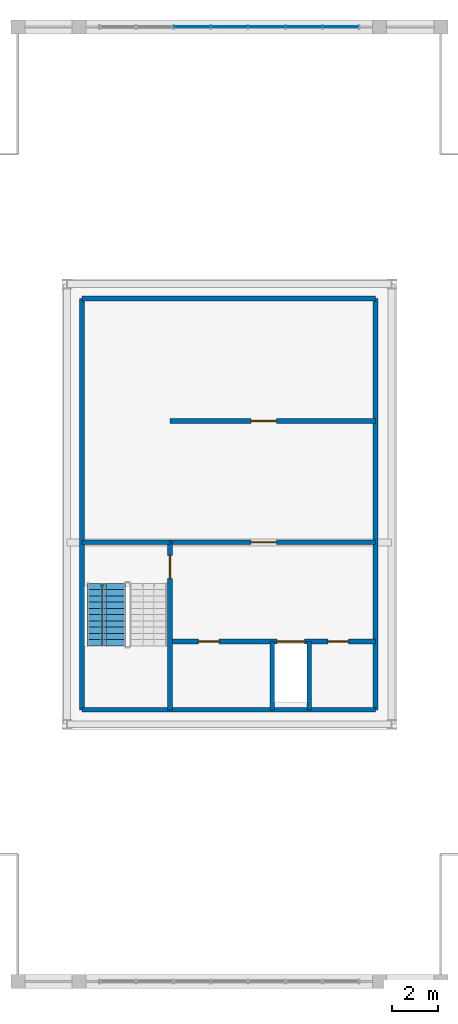
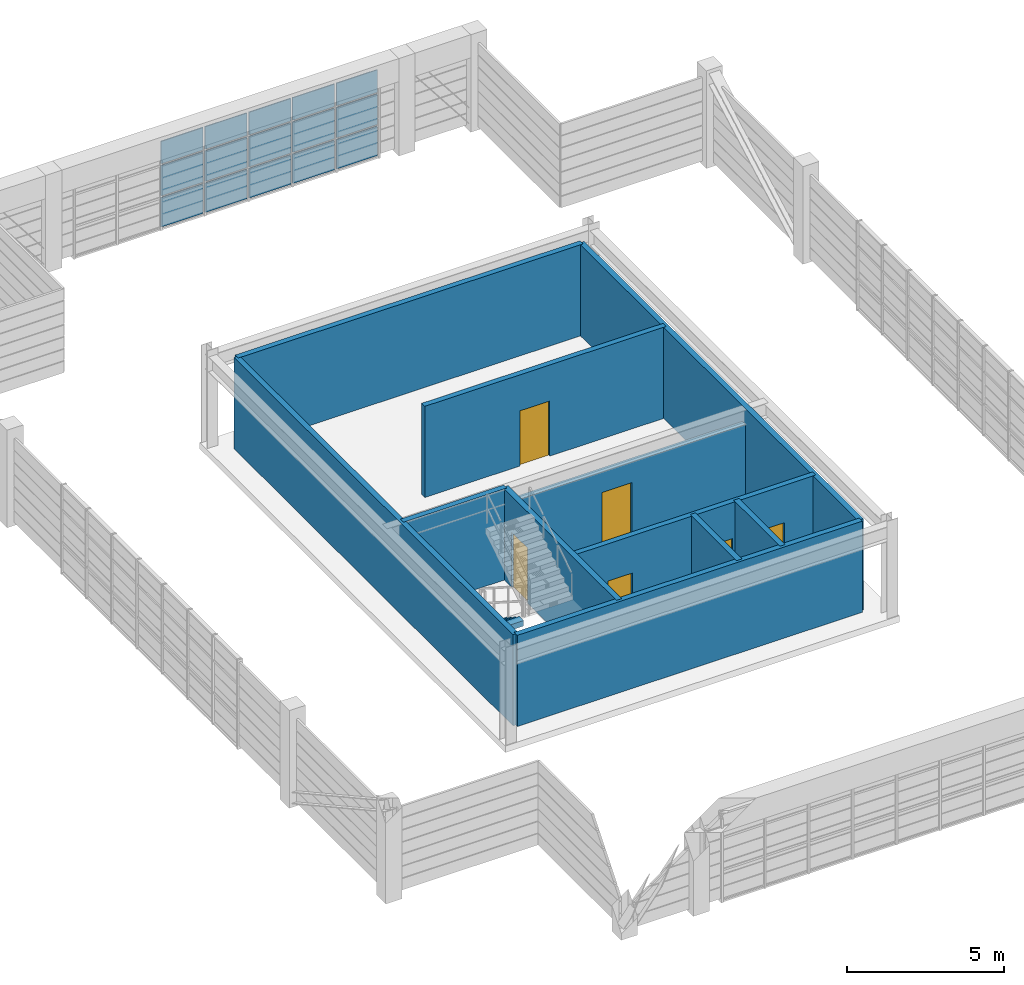
# One storey, part 17 of 21: 15 plates, 11 walls, 6 doors, 1 stair flight, 6 openings, 2 elements without a shape of their own.
"""IFC4 building model written with IfcOpenShell, lengths in metres."""

import ifcopenshell
import ifcopenshell.guid

model = None  # the IFC model being written
_history = None  # IfcOwnerHistory: only IFC2X3 demands one
_inside = {}  # id of a spatial element -> (the spatial element, [elements in it])
_under = {}  # id of a project, library or spatial element -> (it, [spatial elements below it])
_declared = {}  # id of a project -> (the project, [libraries it declares])
_typed = {}  # id of a type object -> (the type object, [elements of that type])
_made_of = {}  # id of a material, layer set ... -> (it, [elements and type objects made of it])


def new_model(schema):
    """Start an empty IFC model of exactly this schema.

    Asked for "IFC4X3", IfcOpenShell would pick the latest addendum, in which some entities
    have other attributes; the version numbers below select the first issue.
    IFC2X3 requires an IfcOwnerHistory on every rooted entity: one is made here for all.
    """
    global model, _history
    if schema == "IFC4X3":
        model = ifcopenshell.file(schema_version=(4, 3, 0, 0))
    else:
        model = ifcopenshell.file(schema=schema)
    _inside.clear()
    _under.clear()
    _declared.clear()
    _typed.clear()
    _made_of.clear()
    _history = None
    if model.schema == "IFC2X3":
        org = make("IfcOrganization", Name="unknown")
        user = make(
            "IfcPersonAndOrganization",
            ThePerson=make("IfcPerson", FamilyName="unknown"),
            TheOrganization=org,
        )
        app = make(
            "IfcApplication",
            ApplicationDeveloper=org,
            Version="unknown",
            ApplicationFullName="unknown",
            ApplicationIdentifier="unknown",
        )
        _history = make(
            "IfcOwnerHistory",
            OwningUser=user,
            OwningApplication=app,
            ChangeAction="ADDED",
            CreationDate=0,
        )
    return model


def make(cls, **values):
    """One entity of the class cls with the attributes given. An attribute that is None is left unset."""
    return model.create_entity(
        cls, **{name: value for name, value in values.items() if value is not None}
    )


def rooted(cls, **values):
    """An entity with a GlobalId (a new one), such as an element, a storey or a relation."""
    return make(cls, GlobalId=ifcopenshell.guid.new(), OwnerHistory=_history, **values)


def si_unit(unit_type, name, prefix=None):
    """IfcSIUnit, for example si_unit("LENGTHUNIT", "METRE", prefix="MILLI")."""
    return make("IfcSIUnit", UnitType=unit_type, Prefix=prefix, Name=name)


def assignment(units):
    """IfcUnitAssignment: the units of a project."""
    return None if units is None else make("IfcUnitAssignment", Units=units)


def point(xyz):
    """IfcCartesianPoint."""
    return None if xyz is None else make("IfcCartesianPoint", Coordinates=xyz)


def direction(xyz):
    """IfcDirection."""
    return None if xyz is None else make("IfcDirection", DirectionRatios=xyz)


def frame(location, z_axis=None, x_axis=None):
    """IfcAxis2Placement3D, a coordinate frame: its origin and axes. An axis left out is left unset."""
    return make(
        "IfcAxis2Placement3D",
        Location=point(location),
        Axis=direction(z_axis),
        RefDirection=direction(x_axis),
    )


def frame_2d(location, x_axis=None):
    """IfcAxis2Placement2D, a coordinate frame in the plane: its origin and x axis."""
    return make(
        "IfcAxis2Placement2D", Location=point(location), RefDirection=direction(x_axis)
    )


def origin():
    """The frame at (0, 0, 0) with its axes left unset."""
    return frame((0.0, 0.0, 0.0))


def origin_2d():
    """The frame at (0, 0) in the plane with its x axis left unset."""
    return frame_2d((0.0, 0.0))


def place(relative_to, where):
    """IfcLocalPlacement: puts the frame where relative to a parent placement (None: the world)."""
    return make(
        "IfcLocalPlacement", PlacementRelTo=relative_to, RelativePlacement=where
    )


def context(
    kind, dimensions, precision=None, world=None, true_north=None, identifier=None
):
    """IfcGeometricRepresentationContext, for example the 3D "Model" context."""
    return make(
        "IfcGeometricRepresentationContext",
        ContextIdentifier=identifier,
        ContextType=kind,
        CoordinateSpaceDimension=dimensions,
        Precision=precision,
        WorldCoordinateSystem=world,
        TrueNorth=true_north,
    )


def subcontext(parent, identifier, kind, view, scale=None):
    """IfcGeometricRepresentationSubContext, for example "Body" below "Model"."""
    return make(
        "IfcGeometricRepresentationSubContext",
        ContextIdentifier=identifier,
        ContextType=kind,
        ParentContext=parent,
        TargetScale=scale,
        TargetView=view,
    )


def project(units=None, contexts=None):
    """IfcProject with its units and contexts."""
    return rooted(
        "IfcProject",
        Name="project",
        RepresentationContexts=contexts,
        UnitsInContext=assignment(units),
    )


def spatial(cls, under=None, at=None, **own):
    """A site, building, storey or space (cls), placed at a placement, below another one or the project."""
    s = rooted(cls, ObjectPlacement=at, **own)
    if under is not None:
        _under.setdefault(under.id(), (under, []))[1].append(s)
    return s


def polyline(points):
    """IfcPolyline through the points."""
    return make("IfcPolyline", Points=[point(p) for p in points])


def profile(cls, at=None, kind="AREA", **sizes):
    """A parametric profile (cls). Its sizes go by their IFC names, for example OverallWidth=200.0."""
    return make(cls, ProfileType=kind, Position=at, **sizes)


def rectangle(**sizes):
    """IfcRectangleProfileDef."""
    return profile("IfcRectangleProfileDef", **sizes)


def outline(outer, holes=None, kind="AREA"):
    """IfcArbitraryClosedProfileDef: a profile drawn as a closed curve; with holes, ...WithVoids."""
    if holes is None:
        return make("IfcArbitraryClosedProfileDef", ProfileType=kind, OuterCurve=outer)
    return make(
        "IfcArbitraryProfileDefWithVoids",
        ProfileType=kind,
        OuterCurve=outer,
        InnerCurves=holes,
    )


def extrude(swept, where, along, depth):
    """IfcExtrudedAreaSolid: the profile swept, set in the frame where, extruded along a direction by depth."""
    return make(
        "IfcExtrudedAreaSolid",
        SweptArea=swept,
        Position=where,
        ExtrudedDirection=direction(along),
        Depth=depth,
    )


def shape(context_of_items, identifier, shape_type, items):
    """IfcShapeRepresentation: the items that make up one representation, for example the "Body"."""
    return make(
        "IfcShapeRepresentation",
        ContextOfItems=context_of_items,
        RepresentationIdentifier=identifier,
        RepresentationType=shape_type,
        Items=items,
    )


def source(mapping_origin, context_of_items, identifier, shape_type, items):
    """IfcRepresentationMap: a shape defined once, which mapped items show again and again."""
    return make(
        "IfcRepresentationMap",
        MappingOrigin=mapping_origin,
        MappedRepresentation=shape(context_of_items, identifier, shape_type, items),
    )


def transform(
    local_origin,
    x_axis=None,
    y_axis=None,
    z_axis=None,
    scale=None,
    scale2=None,
    scale3=None,
    uniform=True,
):
    """IfcCartesianTransformationOperator3D, or its non-uniform kind. x_axis, y_axis, z_axis: its Axis1, 2, 3."""
    if uniform:
        return make(
            "IfcCartesianTransformationOperator3D",
            Axis1=direction(x_axis),
            Axis2=direction(y_axis),
            LocalOrigin=point(local_origin),
            Scale=scale,
            Axis3=direction(z_axis),
        )
    return make(
        "IfcCartesianTransformationOperator3DnonUniform",
        Axis1=direction(x_axis),
        Axis2=direction(y_axis),
        LocalOrigin=point(local_origin),
        Scale=scale,
        Axis3=direction(z_axis),
        Scale2=scale2,
        Scale3=scale3,
    )


def mapped(mapping_source, mapping_target):
    """IfcMappedItem: shows the shape of a source again, moved by a transform."""
    return make(
        "IfcMappedItem", MappingSource=mapping_source, MappingTarget=mapping_target
    )


def material(Name=None, Category=None):
    """IfcMaterial."""
    return make("IfcMaterial", Name=Name, Category=Category)


def layer(
    of_material, thickness, ventilated=None, Name=None, Category=None, Priority=None
):
    """IfcMaterialLayer: one layer of a wall or slab, of a material (None: an air gap)."""
    return make(
        "IfcMaterialLayer",
        Material=of_material,
        LayerThickness=thickness,
        IsVentilated=ventilated,
        Name=Name,
        Category=Category,
        Priority=Priority,
    )


def layer_set(layers, Name=None):
    """IfcMaterialLayerSet."""
    return make("IfcMaterialLayerSet", MaterialLayers=layers, LayerSetName=Name)


def made_of(thing, what):
    """Note that an element or type object is made of a material, layer set ...; save() writes the relation."""
    if what is not None:
        _made_of.setdefault(what.id(), (what, []))[1].append(thing)
    return thing


def type_object(cls, material=None, **own):
    """A type object (cls), such as IfcWallType, which elements share."""
    return made_of(rooted(cls, **own), material)


def element(
    cls,
    number,
    at=None,
    inside=None,
    cuts=None,
    type_object=None,
    material=None,
    context=None,
    identifier="Body",
    shape_type=None,
    held_by="IfcProductDefinitionShape",
    body=None,
    shapes=None,
    **own,
):
    """One element of the class cls, such as IfcWall. Its Tag is "e" and its number.

    at: its placement. inside: the storey or other place that contains it. cuts: it is an
    opening in that element (IfcRelVoidsElement). A single representation is given by context,
    identifier, shape_type and body (its items); several are given by shapes. held_by: the class
    of the entity that holds the representations. save() writes the other relations.
    """
    e = rooted(cls, Tag="e%d" % number, ObjectPlacement=at, **own)
    if body is not None:
        shapes = [shape(context, identifier, shape_type, body)]
    if shapes is not None:
        e.Representation = make(held_by, Representations=shapes)
    if inside is not None:
        _inside.setdefault(inside.id(), (inside, []))[1].append(e)
    if cuts is not None:
        rooted(
            "IfcRelVoidsElement", RelatingBuildingElement=cuts, RelatedOpeningElement=e
        )
    if type_object is not None:
        _typed.setdefault(type_object.id(), (type_object, []))[1].append(e)
    return made_of(e, material)


def fill(opening, filler):
    """IfcRelFillsElement: the door or window that sits in an opening."""
    return rooted(
        "IfcRelFillsElement",
        RelatingOpeningElement=opening,
        RelatedBuildingElement=filler,
    )


def aggregate(whole, parts):
    """IfcRelAggregates: a whole, such as a stair, and the parts it consists of."""
    return rooted("IfcRelAggregates", RelatingObject=whole, RelatedObjects=parts)


def save(model, path):
    """Write the relations noted so far, then the file.

    IfcRelAggregates (storeys below a building ...), IfcRelContainedInSpatialStructure (elements
    in a storey), IfcRelDefinesByType, IfcRelAssociatesMaterial and IfcRelDeclares: one each for
    every whole, place, type object, material and project.
    """
    for whole, parts in _under.values():
        aggregate(whole, parts)
    for where, things in _inside.values():
        rooted(
            "IfcRelContainedInSpatialStructure",
            RelatedElements=things,
            RelatingStructure=where,
        )
    for kind, things in _typed.values():
        rooted("IfcRelDefinesByType", RelatedObjects=things, RelatingType=kind)
    for what, things in _made_of.values():
        rooted("IfcRelAssociatesMaterial", RelatedObjects=things, RelatingMaterial=what)
    for by, libraries in _declared.values():
        rooted("IfcRelDeclares", RelatingContext=by, RelatedDefinitions=libraries)
    model.write(path)


model = new_model("IFC4")

# Units and contexts
model_context = context("Model", 3, precision=1e-05, world=origin(), true_north=direction((0.0, 1.0)))
body_context = subcontext(model_context, "Body", "Model", "MODEL_VIEW")
ifc_project = project(units=[si_unit("LENGTHUNIT", "METRE"), si_unit("AREAUNIT", "SQUARE_METRE"), si_unit("VOLUMEUNIT", "CUBIC_METRE"), si_unit("PLANEANGLEUNIT", "RADIAN"), si_unit("MASSUNIT", "GRAM", prefix="KILO")], contexts=[model_context])

# Site, building, storey
site_placement = place(None, origin())
site = spatial("IfcSite", under=ifc_project, at=site_placement, CompositionType="ELEMENT")
building_placement = place(site_placement, origin())
building = spatial("IfcBuilding", under=site, at=building_placement, Name="Saelheon Loggia Tower", CompositionType="ELEMENT")
storey_placement = place(building_placement, frame((0.0, 0.0, 267.39990234375)))
storey = spatial("IfcBuildingStorey", under=building, at=storey_placement, Name="CR5", CompositionType="ELEMENT", Elevation=267.39990234375)

# Curtain wall, plates
ifc_material_1 = material(Name="Bronze-Anodised Aluminium and Fritted Ceramic Screen", Category="aluminium")
ifc_layer_1 = layer(ifc_material_1, 0.219970703125)
ifc_layer_set_1 = layer_set([ifc_layer_1], Name="Bronze-Anodised Aluminium and Fritted Ceramic Screen")
curtain_wall_type = type_object("IfcCurtainWallType", Name="CW_CrownScreen", PredefinedType="NOTDEFINED", material=ifc_layer_set_1)
curtain_wall_placement = place(storey_placement, origin())
curtain_wall = element("IfcCurtainWall", 1, at=curtain_wall_placement, inside=storey, type_object=curtain_wall_type, Name="CR5 Crown Central Screen Curtain Wall 6", PredefinedType="NOTDEFINED")
ifc_material_2 = material(Name="Bronze Ceramic Fritted Spandrel Panel", Category="aluminium")
ifc_layer_2 = layer(ifc_material_2, 0.0380859375)
ifc_layer_set_2 = layer_set([ifc_layer_2], Name="Bronze Ceramic Fritted Spandrel Panel")
plate_type = type_object("IfcPlateType", Name="CW_CrownScreen_Panel", PredefinedType="CURTAIN_PANEL", material=ifc_layer_set_2)
shared_shape_1 = source(origin(), body_context, "Body", "SweptSolid", [
    extrude(rectangle(XDim=1.50927734375, YDim=0.0380859375, at=origin_2d()), origin(), (0.0, 0.0, 1.0), 1.14501953125),
])
plate_1_placement = place(storey_placement, frame((42.825439453125, 47.64990234375, 0.070068359375), z_axis=(0.0, 0.0, 1.0), x_axis=(1.0, 0.0, 0.0)))
plate_1 = element("IfcPlate", 2, at=plate_1_placement, type_object=plate_type, Name="CW6 panel 7.1", PredefinedType="CURTAIN_PANEL", context=body_context, shape_type="MappedRepresentation", body=[
    mapped(shared_shape_1, transform((0.0, 0.0, 0.0), scale=1.0)),
])
shared_shape_2 = source(origin(), body_context, "Body", "SweptSolid", [
    extrude(rectangle(XDim=1.50927734375, YDim=0.0380859375, at=origin_2d()), origin(), (0.0, 0.0, 1.0), 1.179931640625),
])
plate_2_placement = place(storey_placement, frame((42.825439453125, 47.64990234375, 1.28515625), z_axis=(0.0, 0.0, 1.0), x_axis=(1.0, 0.0, 0.0)))
plate_2 = element("IfcPlate", 3, at=plate_2_placement, type_object=plate_type, Name="CW6 panel 7.2", PredefinedType="CURTAIN_PANEL", context=body_context, shape_type="MappedRepresentation", body=[
    mapped(shared_shape_2, transform((0.0, 0.0, 0.0), scale=1.0)),
])
shared_shape_3 = source(origin(), body_context, "Body", "SweptSolid", [
    extrude(rectangle(XDim=1.50927734375, YDim=0.0380859375, at=origin_2d()), origin(), (0.0, 0.0, 1.0), 0.875),
])
plate_3_placement = place(storey_placement, frame((42.825439453125, 47.64990234375, 2.53515625), z_axis=(0.0, 0.0, 1.0), x_axis=(1.0, 0.0, 0.0)))
plate_3 = element("IfcPlate", 4, at=plate_3_placement, type_object=plate_type, Name="CW6 panel 7.3", PredefinedType="CURTAIN_PANEL", context=body_context, shape_type="MappedRepresentation", body=[
    mapped(shared_shape_3, transform((0.0, 0.0, 0.0), scale=1.0)),
])
shared_shape_4 = source(origin(), body_context, "Body", "SweptSolid", [
    extrude(rectangle(XDim=1.544189453125, YDim=0.0380859375, at=origin_2d()), origin(), (0.0, 0.0, 1.0), 1.14501953125),
])
plate_4_placement = place(storey_placement, frame((36.3857421875, 47.64990234375, 0.070068359375), z_axis=(0.0, 0.0, 1.0), x_axis=(1.0, 0.0, 0.0)))
plate_4 = element("IfcPlate", 5, at=plate_4_placement, type_object=plate_type, Name="CW6 panel 3.1", PredefinedType="CURTAIN_PANEL", context=body_context, shape_type="MappedRepresentation", body=[
    mapped(shared_shape_4, transform((0.0, 0.0, 0.0), scale=1.0)),
])
plate_5_placement = place(storey_placement, frame((38.0, 47.64990234375, 0.070068359375), z_axis=(0.0, 0.0, 1.0), x_axis=(1.0, 0.0, 0.0)))
plate_5 = element("IfcPlate", 6, at=plate_5_placement, type_object=plate_type, Name="CW6 panel 4.1", PredefinedType="CURTAIN_PANEL", context=body_context, shape_type="MappedRepresentation", body=[
    mapped(shared_shape_4, transform((0.0, 0.0, 0.0), scale=1.0)),
])
plate_6_placement = place(storey_placement, frame((39.6142578125, 47.64990234375, 0.070068359375), z_axis=(0.0, 0.0, 1.0), x_axis=(1.0, 0.0, 0.0)))
plate_6 = element("IfcPlate", 7, at=plate_6_placement, type_object=plate_type, Name="CW6 panel 5.1", PredefinedType="CURTAIN_PANEL", context=body_context, shape_type="MappedRepresentation", body=[
    mapped(shared_shape_4, transform((0.0, 0.0, 0.0), scale=1.0)),
])
plate_7_placement = place(storey_placement, frame((41.228515625, 47.64990234375, 0.070068359375), z_axis=(0.0, 0.0, 1.0), x_axis=(1.0, 0.0, 0.0)))
plate_7 = element("IfcPlate", 8, at=plate_7_placement, type_object=plate_type, Name="CW6 panel 6.1", PredefinedType="CURTAIN_PANEL", context=body_context, shape_type="MappedRepresentation", body=[
    mapped(shared_shape_4, transform((0.0, 0.0, 0.0), scale=1.0)),
])
shared_shape_5 = source(origin(), body_context, "Body", "SweptSolid", [
    extrude(rectangle(XDim=1.544189453125, YDim=0.0380859375, at=origin_2d()), origin(), (0.0, 0.0, 1.0), 1.179931640625),
])
plate_8_placement = place(storey_placement, frame((36.3857421875, 47.64990234375, 1.28515625), z_axis=(0.0, 0.0, 1.0), x_axis=(1.0, 0.0, 0.0)))
plate_8 = element("IfcPlate", 9, at=plate_8_placement, type_object=plate_type, Name="CW6 panel 3.2", PredefinedType="CURTAIN_PANEL", context=body_context, shape_type="MappedRepresentation", body=[
    mapped(shared_shape_5, transform((0.0, 0.0, 0.0), scale=1.0)),
])
plate_9_placement = place(storey_placement, frame((38.0, 47.64990234375, 1.28515625), z_axis=(0.0, 0.0, 1.0), x_axis=(1.0, 0.0, 0.0)))
plate_9 = element("IfcPlate", 10, at=plate_9_placement, type_object=plate_type, Name="CW6 panel 4.2", PredefinedType="CURTAIN_PANEL", context=body_context, shape_type="MappedRepresentation", body=[
    mapped(shared_shape_5, transform((0.0, 0.0, 0.0), scale=1.0)),
])
plate_10_placement = place(storey_placement, frame((39.6142578125, 47.64990234375, 1.28515625), z_axis=(0.0, 0.0, 1.0), x_axis=(1.0, 0.0, 0.0)))
plate_10 = element("IfcPlate", 11, at=plate_10_placement, type_object=plate_type, Name="CW6 panel 5.2", PredefinedType="CURTAIN_PANEL", context=body_context, shape_type="MappedRepresentation", body=[
    mapped(shared_shape_5, transform((0.0, 0.0, 0.0), scale=1.0)),
])
plate_11_placement = place(storey_placement, frame((41.228515625, 47.64990234375, 1.28515625), z_axis=(0.0, 0.0, 1.0), x_axis=(1.0, 0.0, 0.0)))
plate_11 = element("IfcPlate", 12, at=plate_11_placement, type_object=plate_type, Name="CW6 panel 6.2", PredefinedType="CURTAIN_PANEL", context=body_context, shape_type="MappedRepresentation", body=[
    mapped(shared_shape_5, transform((0.0, 0.0, 0.0), scale=1.0)),
])
shared_shape_6 = source(origin(), body_context, "Body", "SweptSolid", [
    extrude(rectangle(XDim=1.544189453125, YDim=0.0380859375, at=origin_2d()), origin(), (0.0, 0.0, 1.0), 0.875),
])
plate_12_placement = place(storey_placement, frame((36.3857421875, 47.64990234375, 2.53515625), z_axis=(0.0, 0.0, 1.0), x_axis=(1.0, 0.0, 0.0)))
plate_12 = element("IfcPlate", 13, at=plate_12_placement, type_object=plate_type, Name="CW6 panel 3.3", PredefinedType="CURTAIN_PANEL", context=body_context, shape_type="MappedRepresentation", body=[
    mapped(shared_shape_6, transform((0.0, 0.0, 0.0), scale=1.0)),
])
plate_13_placement = place(storey_placement, frame((38.0, 47.64990234375, 2.53515625), z_axis=(0.0, 0.0, 1.0), x_axis=(1.0, 0.0, 0.0)))
plate_13 = element("IfcPlate", 14, at=plate_13_placement, type_object=plate_type, Name="CW6 panel 4.3", PredefinedType="CURTAIN_PANEL", context=body_context, shape_type="MappedRepresentation", body=[
    mapped(shared_shape_6, transform((0.0, 0.0, 0.0), scale=1.0)),
])
plate_14_placement = place(storey_placement, frame((39.6142578125, 47.64990234375, 2.53515625), z_axis=(0.0, 0.0, 1.0), x_axis=(1.0, 0.0, 0.0)))
plate_14 = element("IfcPlate", 15, at=plate_14_placement, type_object=plate_type, Name="CW6 panel 5.3", PredefinedType="CURTAIN_PANEL", context=body_context, shape_type="MappedRepresentation", body=[
    mapped(shared_shape_6, transform((0.0, 0.0, 0.0), scale=1.0)),
])
plate_15_placement = place(storey_placement, frame((41.228515625, 47.64990234375, 2.53515625), z_axis=(0.0, 0.0, 1.0), x_axis=(1.0, 0.0, 0.0)))
plate_15 = element("IfcPlate", 16, at=plate_15_placement, type_object=plate_type, Name="CW6 panel 6.3", PredefinedType="CURTAIN_PANEL", context=body_context, shape_type="MappedRepresentation", body=[
    mapped(shared_shape_6, transform((0.0, 0.0, 0.0), scale=1.0)),
])
aggregate(curtain_wall, [plate_4, plate_8, plate_12, plate_5, plate_9, plate_13, plate_6, plate_10, plate_14, plate_7, plate_11, plate_15, plate_1, plate_2, plate_3])

# Wall, opening, door
ifc_material_3 = material(Name="Concrete C40/50", Category="concrete")
ifc_layer_3 = layer(ifc_material_3, 0.199951171875)
ifc_layer_set_3 = layer_set([ifc_layer_3], Name="Concrete C40/50")
wall_type_1 = type_object("IfcWallType", Name="Wall_Shaft_200", PredefinedType="PARTITIONING", material=ifc_layer_set_3)
wall_1_placement = place(storey_placement, frame((35.429931640625, 30.60009765625, 0.0), z_axis=(0.0, 0.0, 1.0), x_axis=(1.0, 0.0, 0.0)))
wall_1 = element("IfcWall", 17, at=wall_1_placement, inside=storey, type_object=wall_type_1, Name="CR5 Damper Equipment Room Partition Wall", PredefinedType="PARTITIONING", context=body_context, shape_type="SweptSolid", body=[
    extrude(rectangle(XDim=8.89013671875, YDim=0.199951171875, at=frame_2d((4.445068359375, 0.0))), origin(), (0.0, 0.0, 1.0), 3.550048828125),
])
opening_1_placement = place(wall_1_placement, frame((3.5, 0.0, 0.0)))
opening_1 = element("IfcOpeningElement", 18, at=opening_1_placement, cuts=wall_1, Name="Opening D-FD2", PredefinedType="OPENING", context=body_context, shape_type="SweptSolid", body=[
    extrude(rectangle(XDim=1.10009765625, YDim=2.14990234375, at=frame_2d((0.550048828125, 1.074951171875))), frame((0.0, 0.112060546875, 0.0), z_axis=(0.0, -1.0, 0.0), x_axis=(1.0, 0.0, 0.0)), (0.0, 0.0, 1.0), 0.223876953125),
])
ifc_material_4 = material(Name="Galvanised Steel Fire Door", Category="steel")
door_type_1 = type_object("IfcDoorType", Name="Door_Fire_FD60_1100", OperationType="NOTDEFINED", PredefinedType="DOOR", material=ifc_material_4)
shared_shape_7 = source(origin(), body_context, "Body", "SweptSolid", [
    extrude(rectangle(XDim=1.10009765625, YDim=2.14990234375, at=frame_2d((0.550048828125, 1.074951171875))), frame((0.0, 0.02490234375, 0.0), z_axis=(0.0, -1.0, 0.0), x_axis=(1.0, 0.0, 0.0)), (0.0, 0.0, 1.0), 0.050048828125),
])
door_1_placement = place(opening_1_placement, origin())
door_1 = element("IfcDoor", 19, at=door_1_placement, inside=storey, type_object=door_type_1, Name="CR5 Damper Equipment Room Access Door", OperationType="SINGLE_SWING_RIGHT", OverallHeight=2.14990234375, OverallWidth=1.10009765625, PredefinedType="DOOR", context=body_context, shape_type="MappedRepresentation", body=[
    mapped(shared_shape_7, transform((0.0, 0.0, 0.0), scale=1.0)),
])
fill(opening_1, door_1)

# Walls
for number, where, z_axis, x_axis, name in (
    (20, (39.85009765625, 18.10009765625, 0.0), (0.0, 0.0, 1.0), (0.0, 1.0, 0.0), "CR5 SV1 Shaft West Wall"),
    (21, (41.449951171875, 18.10009765625, 0.0), (0.0, 0.0, 1.0), (0.0, 1.0, 0.0), "CR5 SV1 Shaft East Wall"),
):
    element("IfcWall", number, at=place(storey_placement, frame(where, z_axis=z_axis, x_axis=x_axis)), inside=storey, type_object=wall_type_1, Name=name, PredefinedType="PARTITIONING", context=body_context, shape_type="SweptSolid", body=[
        extrude(rectangle(XDim=2.9599609375, YDim=0.199951171875, at=frame_2d((1.47998046875, 0.0))), origin(), (0.0, 0.0, 1.0), 3.550048828125),
    ])

# Wall, openings, doors
wall_2_placement = place(storey_placement, frame((35.429931640625, 21.06005859375, 0.0), z_axis=(0.0, 0.0, 1.0), x_axis=(1.0, 0.0, 0.0)))
wall_2 = element("IfcWall", 22, at=wall_2_placement, inside=storey, type_object=wall_type_1, Name="CR5 SV1 Shaft Front Wall", PredefinedType="PARTITIONING", context=body_context, shape_type="SweptSolid", body=[
    extrude(rectangle(XDim=8.89013671875, YDim=0.199951171875, at=frame_2d((4.445068359375, 0.0))), origin(), (0.0, 0.0, 1.0), 3.550048828125),
])
opening_2_placement = place(wall_2_placement, frame((1.22998046875, 0.0, 0.0)))
opening_2 = element("IfcOpeningElement", 23, at=opening_2_placement, cuts=wall_2, Name="Opening D-RS1", PredefinedType="OPENING", context=body_context, shape_type="SweptSolid", body=[
    extrude(rectangle(XDim=0.89990234375, YDim=2.10009765625, at=frame_2d((0.449951171875, 1.050048828125))), frame((0.0, 0.112060546875, 0.0), z_axis=(0.0, -1.0, 0.0), x_axis=(1.0, 0.0, 0.0)), (0.0, 0.0, 1.0), 0.223876953125),
])
opening_3_placement = place(wall_2_placement, frame((4.6201171875, 0.0, 0.0)))
opening_3 = element("IfcOpeningElement", 24, at=opening_3_placement, cuts=wall_2, Name="Opening LD3", PredefinedType="OPENING", context=body_context, shape_type="SweptSolid", body=[
    extrude(rectangle(XDim=1.199951171875, YDim=2.14990234375, at=frame_2d((0.60009765625, 1.074951171875))), frame((0.0, 0.112060546875, 0.0), z_axis=(0.0, -1.0, 0.0), x_axis=(1.0, 0.0, 0.0)), (0.0, 0.0, 1.0), 0.223876953125),
])
opening_4_placement = place(wall_2_placement, frame((6.830078125, 0.0, 0.0)))
opening_4 = element("IfcOpeningElement", 25, at=opening_4_placement, cuts=wall_2, Name="Opening D-RS1", PredefinedType="OPENING", context=body_context, shape_type="SweptSolid", body=[
    extrude(rectangle(XDim=0.89990234375, YDim=2.10009765625, at=frame_2d((0.449951171875, 1.050048828125))), frame((0.0, 0.112060546875, 0.0), z_axis=(0.0, -1.0, 0.0), x_axis=(1.0, 0.0, 0.0)), (0.0, 0.0, 1.0), 0.223876953125),
])
ifc_material_5 = material(Name="Galvanised Steel Riser Access Door", Category="steel")
door_type_2 = type_object("IfcDoorType", Name="Door_Riser_FD60", OperationType="NOTDEFINED", PredefinedType="DOOR", material=ifc_material_5)
shared_shape_8 = source(origin(), body_context, "Body", "SweptSolid", [
    extrude(rectangle(XDim=0.89990234375, YDim=2.10009765625, at=frame_2d((0.449951171875, 1.050048828125))), frame((0.0, 0.02490234375, 0.0), z_axis=(0.0, -1.0, 0.0), x_axis=(1.0, 0.0, 0.0)), (0.0, 0.0, 1.0), 0.050048828125),
])
door_2_placement = place(opening_2_placement, origin())
door_2 = element("IfcDoor", 26, at=door_2_placement, inside=storey, type_object=door_type_2, Name="CR5 West Riser Closet Door", OperationType="SINGLE_SWING_RIGHT", OverallHeight=2.10009765625, OverallWidth=0.89990234375, PredefinedType="DOOR", context=body_context, shape_type="MappedRepresentation", body=[
    mapped(shared_shape_8, transform((0.0, 0.0, 0.0), scale=1.0)),
])
fill(opening_2, door_2)
door_3_placement = place(opening_4_placement, origin())
door_3 = element("IfcDoor", 27, at=door_3_placement, inside=storey, type_object=door_type_2, Name="CR5 East Riser Closet Door", OperationType="SINGLE_SWING_LEFT", OverallHeight=2.10009765625, OverallWidth=0.89990234375, PredefinedType="DOOR", context=body_context, shape_type="MappedRepresentation", body=[
    mapped(shared_shape_8, transform((0.0, 0.0, 0.0), scale=1.0)),
])
fill(opening_4, door_3)
ifc_material_6 = material(Name="Stretcher Lift Stainless Steel 304 Landing Door", Category="steel")
door_type_3 = type_object("IfcDoorType", Name="Door_Lift_LD3", OperationType="DOUBLE_DOOR_SLIDING", PredefinedType="DOOR", material=ifc_material_6)
shared_shape_9 = source(origin(), body_context, "Body", "SweptSolid", [
    extrude(rectangle(XDim=1.199951171875, YDim=2.14990234375, at=frame_2d((0.60009765625, 1.074951171875))), frame((0.0, 0.02490234375, 0.0), z_axis=(0.0, -1.0, 0.0), x_axis=(1.0, 0.0, 0.0)), (0.0, 0.0, 1.0), 0.050048828125),
])
door_4_placement = place(opening_3_placement, origin())
door_4 = element("IfcDoor", 28, at=door_4_placement, inside=storey, type_object=door_type_3, Name="CR5 SV1 Landing Door", OperationType="DOUBLE_DOOR_SLIDING", OverallHeight=2.14990234375, OverallWidth=1.199951171875, PredefinedType="DOOR", context=body_context, shape_type="MappedRepresentation", body=[
    mapped(shared_shape_9, transform((0.0, 0.0, 0.0), scale=1.0)),
])
fill(opening_3, door_4)

# Wall, opening, door
wall_3_placement = place(storey_placement, frame((35.429931640625, 25.360107421875, 0.0), z_axis=(0.0, 0.0, 1.0), x_axis=(1.0, 0.0, 0.0)))
wall_3 = element("IfcWall", 29, at=wall_3_placement, inside=storey, type_object=wall_type_1, Name="CR5 Service Lift Lobby North Wall", PredefinedType="PARTITIONING", context=body_context, shape_type="SweptSolid", body=[
    extrude(rectangle(XDim=8.89013671875, YDim=0.199951171875, at=frame_2d((4.445068359375, 0.0))), origin(), (0.0, 0.0, 1.0), 2.9521484375),
])
opening_5_placement = place(wall_3_placement, frame((3.5, 0.0, 0.0)))
opening_5 = element("IfcOpeningElement", 30, at=opening_5_placement, cuts=wall_3, Name="Opening D-FD2", PredefinedType="OPENING", context=body_context, shape_type="SweptSolid", body=[
    extrude(rectangle(XDim=1.10009765625, YDim=2.14990234375, at=frame_2d((0.550048828125, 1.074951171875))), frame((0.0, 0.112060546875, 0.0), z_axis=(0.0, -1.0, 0.0), x_axis=(1.0, 0.0, 0.0)), (0.0, 0.0, 1.0), 0.223876953125),
])
door_5_placement = place(opening_5_placement, origin())
door_5 = element("IfcDoor", 31, at=door_5_placement, inside=storey, type_object=door_type_1, Name="CR5 Crown Mechanical Room Door", OperationType="SINGLE_SWING_RIGHT", OverallHeight=2.14990234375, OverallWidth=1.10009765625, PredefinedType="DOOR", context=body_context, shape_type="MappedRepresentation", body=[
    mapped(shared_shape_7, transform((0.0, 0.0, 0.0), scale=1.0)),
])
fill(opening_5, door_5)

# Walls
ifc_material_7 = material(Name="Concrete C45/55", Category="concrete")
ifc_layer_4 = layer(ifc_material_7, 0.199951171875)
ifc_layer_set_4 = layer_set([ifc_layer_4], Name="Concrete C45/55")
wall_type_2 = type_object("IfcWallType", Name="Wall_StairShaft_RC200", PredefinedType="SOLIDWALL", material=ifc_layer_set_4)
for number, where, z_axis, x_axis, name in (
    (32, (31.6201171875, 18.10009765625, 0.0), (0.0, 0.0, 1.0), (0.0, 1.0, 0.0), "CR5 Crown Core West Enclosure Wall"),
    (33, (44.320068359375, 18.10009765625, 0.0), (0.0, 0.0, 1.0), (0.0, 1.0, 0.0), "CR5 Crown Core East Enclosure Wall"),
):
    element("IfcWall", number, at=place(storey_placement, frame(where, z_axis=z_axis, x_axis=x_axis)), inside=storey, type_object=wall_type_2, Name=name, PredefinedType="SOLIDWALL", context=body_context, shape_type="SweptSolid", body=[
        extrude(rectangle(XDim=17.7998046875, YDim=0.199951171875, at=frame_2d((8.89990234375, 0.0))), origin(), (0.0, 0.0, 1.0), 3.550048828125),
    ])
for number, where, z_axis, x_axis, name in (
    (34, (31.6201171875, 18.10009765625, 0.0), (0.0, 0.0, 1.0), (1.0, 0.0, 0.0), "CR5 Crown Core South Enclosure Wall"),
    (35, (31.6201171875, 35.89990234375, 0.0), (0.0, 0.0, 1.0), (1.0, 0.0, 0.0), "CR5 Crown Core North Enclosure Wall"),
):
    element("IfcWall", number, at=place(storey_placement, frame(where, z_axis=z_axis, x_axis=x_axis)), inside=storey, type_object=wall_type_2, Name=name, PredefinedType="SOLIDWALL", context=body_context, shape_type="SweptSolid", body=[
        extrude(rectangle(XDim=12.699951171875, YDim=0.199951171875, at=frame_2d((6.35009765625, 0.0))), origin(), (0.0, 0.0, 1.0), 3.550048828125),
    ])

# Wall, opening, door
wall_4_placement = place(storey_placement, frame((35.429931640625, 18.10009765625, 0.0), z_axis=(0.0, 0.0, 1.0), x_axis=(0.0, 1.0, 0.0)))
wall_4 = element("IfcWall", 36, at=wall_4_placement, inside=storey, type_object=wall_type_2, Name="CR5 ST5 Shaft East Wall", PredefinedType="SOLIDWALL", context=body_context, shape_type="SweptSolid", body=[
    extrude(rectangle(XDim=7.260009765625, YDim=0.199951171875, at=frame_2d((3.6298828125, 0.0))), origin(), (0.0, 0.0, 1.0), 3.550048828125),
])
opening_6_placement = place(wall_4_placement, frame((6.68994140625, 0.0, 0.0), z_axis=(0.0, 0.0, 1.0), x_axis=(-1.0, 0.0, 0.0)))
opening_6 = element("IfcOpeningElement", 37, at=opening_6_placement, cuts=wall_4, Name="Opening D-FD2C", PredefinedType="OPENING", context=body_context, shape_type="SweptSolid", body=[
    extrude(rectangle(XDim=1.0, YDim=2.14990234375, at=frame_2d((0.5, 1.074951171875))), frame((0.0, 0.112060546875, 0.0), z_axis=(0.0, -1.0, 0.0), x_axis=(1.0, 0.0, 0.0)), (0.0, 0.0, 1.0), 0.223876953125),
])
door_type_4 = type_object("IfcDoorType", Name="Door_Fire_FD60_1000", OperationType="NOTDEFINED", PredefinedType="DOOR", material=ifc_material_4)
shared_shape_10 = source(origin(), body_context, "Body", "SweptSolid", [
    extrude(rectangle(XDim=1.0, YDim=2.14990234375, at=frame_2d((0.5, 1.074951171875))), frame((0.0, 0.02490234375, 0.0), z_axis=(0.0, -1.0, 0.0), x_axis=(1.0, 0.0, 0.0)), (0.0, 0.0, 1.0), 0.050048828125),
])
door_6_placement = place(opening_6_placement, origin())
door_6 = element("IfcDoor", 38, at=door_6_placement, inside=storey, type_object=door_type_4, Name="CR5 Crown Stair ST5 Door", OperationType="SINGLE_SWING_LEFT", OverallHeight=2.14990234375, OverallWidth=1.0, PredefinedType="DOOR", context=body_context, shape_type="MappedRepresentation", body=[
    mapped(shared_shape_10, transform((0.0, 0.0, 0.0), scale=1.0)),
])
fill(opening_6, door_6)

# Wall
wall_5_placement = place(storey_placement, frame((31.6201171875, 25.360107421875, 0.0), z_axis=(0.0, 0.0, 1.0), x_axis=(1.0, 0.0, 0.0)))
element("IfcWall", 39, at=wall_5_placement, inside=storey, type_object=wall_type_2, Name="CR5 ST5 Shaft North Wall", PredefinedType="SOLIDWALL", context=body_context, shape_type="SweptSolid", body=[
    extrude(rectangle(XDim=3.809814453125, YDim=0.199951171875, at=frame_2d((1.90478515625, 0.0))), origin(), (0.0, 0.0, 1.0), 3.550048828125),
])

# Stair, stair flight
stair_type = type_object("IfcStairType", Name="Stair_Plant_Crown", PredefinedType="HALF_TURN_STAIR", material=ifc_material_3)
stair_placement = place(storey_placement, origin())
stair = element("IfcStair", 40, at=stair_placement, inside=storey, type_object=stair_type, Name="CR5 Crown Plant Stair ST5", PredefinedType="HALF_TURN_STAIR")
stair_flight_type = type_object("IfcStairFlightType", Name="StairFlight_Crown_1520", PredefinedType="STRAIGHT", material=ifc_material_3)
stair_flight_placement = place(storey_placement, frame((32.679931640625, 23.570068359375, 0.0), z_axis=(0.0, 0.0, 1.0), x_axis=(0.0, -1.0, 0.0)))
stair_flight = element("IfcStairFlight", 41, at=stair_flight_placement, type_object=stair_flight_type, Name="ST5 flight 1", NumberOfRisers=11, NumberOfTreads=10, PredefinedType="STRAIGHT", RiserHeight=0.172727273, TreadLength=0.27, context=body_context, shape_type="SweptSolid", body=[
    extrude(outline(polyline([(0.0, 0.0), (0.0, 0.172607421875), (0.27001953125, 0.172607421875), (0.27001953125, 0.345458984375), (0.5400390625, 0.345458984375), (0.5400390625, 0.51806640625), (0.81005859375, 0.51806640625), (0.81005859375, 0.69091796875), (1.080078125, 0.69091796875), (1.080078125, 0.863525390625), (1.35009765625, 0.863525390625), (1.35009765625, 1.036376953125), (1.6201171875, 1.036376953125), (1.6201171875, 1.208984375), (1.889892578125, 1.208984375), (1.889892578125, 1.3818359375), (2.159912109375, 1.3818359375), (2.159912109375, 1.554443359375), (2.429931640625, 1.554443359375), (2.429931640625, 1.727294921875), (2.699951171875, 1.727294921875), (2.699951171875, 1.89990234375), (2.699951171875, 1.513671875), (0.333984375, 0.0), (0.0, 0.0)])), frame((0.0, -0.2490234375, 0.0), z_axis=(0.0, -1.0, 0.0), x_axis=(1.0, 0.0, 0.0)), (0.0, 0.0, 1.0), 0.5810546875),
    extrude(outline(polyline([(0.0, 0.0), (0.0, 0.172607421875), (0.27001953125, 0.172607421875), (0.27001953125, 0.345458984375), (0.5400390625, 0.345458984375), (0.5400390625, 0.51806640625), (0.81005859375, 0.51806640625), (0.81005859375, 0.69091796875), (1.080078125, 0.69091796875), (1.080078125, 0.863525390625), (1.35009765625, 0.863525390625), (1.35009765625, 1.036376953125), (1.6201171875, 1.036376953125), (1.6201171875, 1.208984375), (1.889892578125, 1.208984375), (1.889892578125, 1.3818359375), (2.159912109375, 1.3818359375), (2.159912109375, 1.554443359375), (2.429931640625, 1.554443359375), (2.429931640625, 1.727294921875), (2.699951171875, 1.727294921875), (2.699951171875, 1.89990234375), (2.699951171875, 1.513671875), (0.333984375, 0.0), (0.0, 0.0)])), frame((0.0, -0.194091796875, 0.0), z_axis=(0.0, -1.0, 0.0), x_axis=(1.0, 0.0, 0.0)), (0.0, 0.0, 1.0), 0.0498046875),
    extrude(outline(polyline([(0.0, 0.0), (0.0, 0.172607421875), (0.27001953125, 0.172607421875), (0.27001953125, 0.345458984375), (0.5400390625, 0.345458984375), (0.5400390625, 0.51806640625), (0.81005859375, 0.51806640625), (0.81005859375, 0.69091796875), (1.080078125, 0.69091796875), (1.080078125, 0.863525390625), (1.35009765625, 0.863525390625), (1.35009765625, 1.036376953125), (1.6201171875, 1.036376953125), (1.6201171875, 1.208984375), (1.889892578125, 1.208984375), (1.889892578125, 1.3818359375), (2.159912109375, 1.3818359375), (2.159912109375, 1.554443359375), (2.429931640625, 1.554443359375), (2.429931640625, 1.727294921875), (2.699951171875, 1.727294921875), (2.699951171875, 1.89990234375), (2.699951171875, 1.513671875), (0.333984375, 0.0), (0.0, 0.0)])), frame((0.0, -0.139404296875, 0.0), z_axis=(0.0, -1.0, 0.0), x_axis=(1.0, 0.0, 0.0)), (0.0, 0.0, 1.0), 0.0498046875),
    extrude(outline(polyline([(0.0, 0.0), (0.0, 0.172607421875), (0.27001953125, 0.172607421875), (0.27001953125, 0.345458984375), (0.5400390625, 0.345458984375), (0.5400390625, 0.51806640625), (0.81005859375, 0.51806640625), (0.81005859375, 0.69091796875), (1.080078125, 0.69091796875), (1.080078125, 0.863525390625), (1.35009765625, 0.863525390625), (1.35009765625, 1.036376953125), (1.6201171875, 1.036376953125), (1.6201171875, 1.208984375), (1.889892578125, 1.208984375), (1.889892578125, 1.3818359375), (2.159912109375, 1.3818359375), (2.159912109375, 1.554443359375), (2.429931640625, 1.554443359375), (2.429931640625, 1.727294921875), (2.699951171875, 1.727294921875), (2.699951171875, 1.89990234375), (2.699951171875, 1.513671875), (0.333984375, 0.0), (0.0, 0.0)])), frame((0.0, -0.084716796875, 0.0), z_axis=(0.0, -1.0, 0.0), x_axis=(1.0, 0.0, 0.0)), (0.0, 0.0, 1.0), 0.0498046875),
    extrude(outline(polyline([(0.0, 0.0), (0.0, 0.172607421875), (0.27001953125, 0.172607421875), (0.27001953125, 0.345458984375), (0.5400390625, 0.345458984375), (0.5400390625, 0.51806640625), (0.81005859375, 0.51806640625), (0.81005859375, 0.69091796875), (1.080078125, 0.69091796875), (1.080078125, 0.863525390625), (1.35009765625, 0.863525390625), (1.35009765625, 1.036376953125), (1.6201171875, 1.036376953125), (1.6201171875, 1.208984375), (1.889892578125, 1.208984375), (1.889892578125, 1.3818359375), (2.159912109375, 1.3818359375), (2.159912109375, 1.554443359375), (2.429931640625, 1.554443359375), (2.429931640625, 1.727294921875), (2.699951171875, 1.727294921875), (2.699951171875, 1.89990234375), (2.699951171875, 1.513671875), (0.333984375, 0.0), (0.0, 0.0)])), frame((0.0, -0.02978515625, 0.0), z_axis=(0.0, -1.0, 0.0), x_axis=(1.0, 0.0, 0.0)), (0.0, 0.0, 1.0), 0.0498046875),
    extrude(outline(polyline([(0.0, 0.0), (0.0, 0.172607421875), (0.27001953125, 0.172607421875), (0.27001953125, 0.345458984375), (0.5400390625, 0.345458984375), (0.5400390625, 0.51806640625), (0.81005859375, 0.51806640625), (0.81005859375, 0.69091796875), (1.080078125, 0.69091796875), (1.080078125, 0.863525390625), (1.35009765625, 0.863525390625), (1.35009765625, 1.036376953125), (1.6201171875, 1.036376953125), (1.6201171875, 1.208984375), (1.889892578125, 1.208984375), (1.889892578125, 1.3818359375), (2.159912109375, 1.3818359375), (2.159912109375, 1.554443359375), (2.429931640625, 1.554443359375), (2.429931640625, 1.727294921875), (2.699951171875, 1.727294921875), (2.699951171875, 1.89990234375), (2.699951171875, 1.513671875), (0.333984375, 0.0), (0.0, 0.0)])), frame((0.0, 0.02490234375, 0.0), z_axis=(0.0, -1.0, 0.0), x_axis=(1.0, 0.0, 0.0)), (0.0, 0.0, 1.0), 0.0498046875),
    extrude(outline(polyline([(0.0, 0.0), (0.0, 0.172607421875), (0.27001953125, 0.172607421875), (0.27001953125, 0.345458984375), (0.5400390625, 0.345458984375), (0.5400390625, 0.51806640625), (0.81005859375, 0.51806640625), (0.81005859375, 0.69091796875), (1.080078125, 0.69091796875), (1.080078125, 0.863525390625), (1.35009765625, 0.863525390625), (1.35009765625, 1.036376953125), (1.6201171875, 1.036376953125), (1.6201171875, 1.208984375), (1.889892578125, 1.208984375), (1.889892578125, 1.3818359375), (2.159912109375, 1.3818359375), (2.159912109375, 1.554443359375), (2.429931640625, 1.554443359375), (2.429931640625, 1.727294921875), (2.699951171875, 1.727294921875), (2.699951171875, 1.89990234375), (2.699951171875, 1.513671875), (0.333984375, 0.0), (0.0, 0.0)])), frame((0.0, 0.07958984375, 0.0), z_axis=(0.0, -1.0, 0.0), x_axis=(1.0, 0.0, 0.0)), (0.0, 0.0, 1.0), 0.0498046875),
    extrude(outline(polyline([(0.0, 0.0), (0.0, 0.172607421875), (0.27001953125, 0.172607421875), (0.27001953125, 0.345458984375), (0.5400390625, 0.345458984375), (0.5400390625, 0.51806640625), (0.81005859375, 0.51806640625), (0.81005859375, 0.69091796875), (1.080078125, 0.69091796875), (1.080078125, 0.863525390625), (1.35009765625, 0.863525390625), (1.35009765625, 1.036376953125), (1.6201171875, 1.036376953125), (1.6201171875, 1.208984375), (1.889892578125, 1.208984375), (1.889892578125, 1.3818359375), (2.159912109375, 1.3818359375), (2.159912109375, 1.554443359375), (2.429931640625, 1.554443359375), (2.429931640625, 1.727294921875), (2.699951171875, 1.727294921875), (2.699951171875, 1.89990234375), (2.699951171875, 1.513671875), (0.333984375, 0.0), (0.0, 0.0)])), frame((0.0, 0.134521484375, 0.0), z_axis=(0.0, -1.0, 0.0), x_axis=(1.0, 0.0, 0.0)), (0.0, 0.0, 1.0), 0.0498046875),
    extrude(outline(polyline([(0.0, 0.0), (0.0, 0.172607421875), (0.27001953125, 0.172607421875), (0.27001953125, 0.345458984375), (0.5400390625, 0.345458984375), (0.5400390625, 0.51806640625), (0.81005859375, 0.51806640625), (0.81005859375, 0.69091796875), (1.080078125, 0.69091796875), (1.080078125, 0.863525390625), (1.35009765625, 0.863525390625), (1.35009765625, 1.036376953125), (1.6201171875, 1.036376953125), (1.6201171875, 1.208984375), (1.889892578125, 1.208984375), (1.889892578125, 1.3818359375), (2.159912109375, 1.3818359375), (2.159912109375, 1.554443359375), (2.429931640625, 1.554443359375), (2.429931640625, 1.727294921875), (2.699951171875, 1.727294921875), (2.699951171875, 1.89990234375), (2.699951171875, 1.513671875), (0.333984375, 0.0), (0.0, 0.0)])), frame((0.0, 0.189208984375, 0.0), z_axis=(0.0, -1.0, 0.0), x_axis=(1.0, 0.0, 0.0)), (0.0, 0.0, 1.0), 0.0498046875),
    extrude(outline(polyline([(0.0, 0.0), (0.0, 0.172607421875), (0.27001953125, 0.172607421875), (0.27001953125, 0.345458984375), (0.5400390625, 0.345458984375), (0.5400390625, 0.51806640625), (0.81005859375, 0.51806640625), (0.81005859375, 0.69091796875), (1.080078125, 0.69091796875), (1.080078125, 0.863525390625), (1.35009765625, 0.863525390625), (1.35009765625, 1.036376953125), (1.6201171875, 1.036376953125), (1.6201171875, 1.208984375), (1.889892578125, 1.208984375), (1.889892578125, 1.3818359375), (2.159912109375, 1.3818359375), (2.159912109375, 1.554443359375), (2.429931640625, 1.554443359375), (2.429931640625, 1.727294921875), (2.699951171875, 1.727294921875), (2.699951171875, 1.89990234375), (2.699951171875, 1.513671875), (0.333984375, 0.0), (0.0, 0.0)])), frame((0.0, 0.243896484375, 0.0), z_axis=(0.0, -1.0, 0.0), x_axis=(1.0, 0.0, 0.0)), (0.0, 0.0, 1.0), 0.0498046875),
    extrude(outline(polyline([(0.0, 0.0), (0.0, 0.172607421875), (0.27001953125, 0.172607421875), (0.27001953125, 0.345458984375), (0.5400390625, 0.345458984375), (0.5400390625, 0.51806640625), (0.81005859375, 0.51806640625), (0.81005859375, 0.69091796875), (1.080078125, 0.69091796875), (1.080078125, 0.863525390625), (1.35009765625, 0.863525390625), (1.35009765625, 1.036376953125), (1.6201171875, 1.036376953125), (1.6201171875, 1.208984375), (1.889892578125, 1.208984375), (1.889892578125, 1.3818359375), (2.159912109375, 1.3818359375), (2.159912109375, 1.554443359375), (2.429931640625, 1.554443359375), (2.429931640625, 1.727294921875), (2.699951171875, 1.727294921875), (2.699951171875, 1.89990234375), (2.699951171875, 1.513671875), (0.333984375, 0.0), (0.0, 0.0)])), frame((0.0, 0.830078125, 0.0), z_axis=(0.0, -1.0, 0.0), x_axis=(1.0, 0.0, 0.0)), (0.0, 0.0, 1.0), 0.5810546875),
])
aggregate(stair, [stair_flight])

save(model, "model.ifc")
